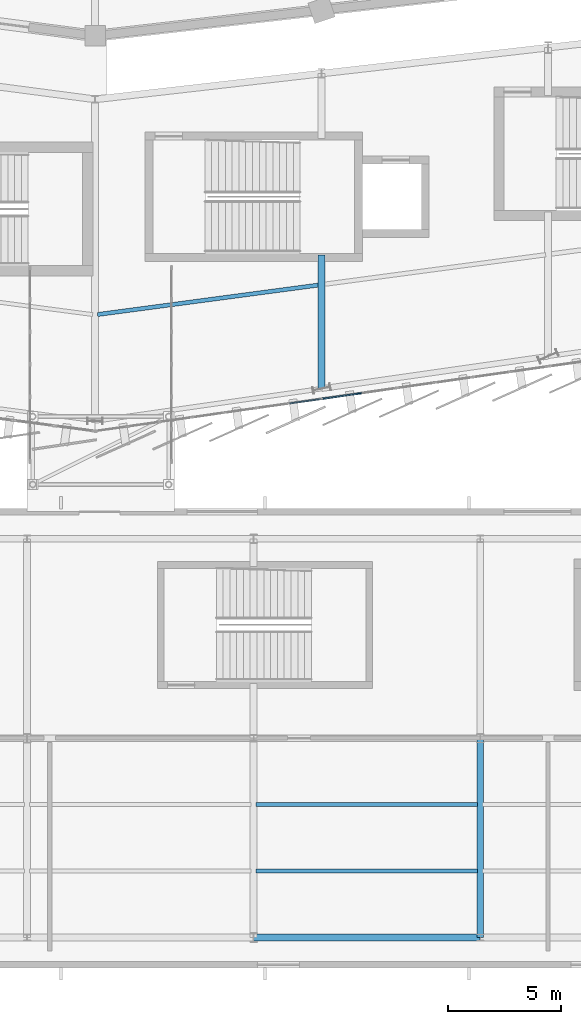
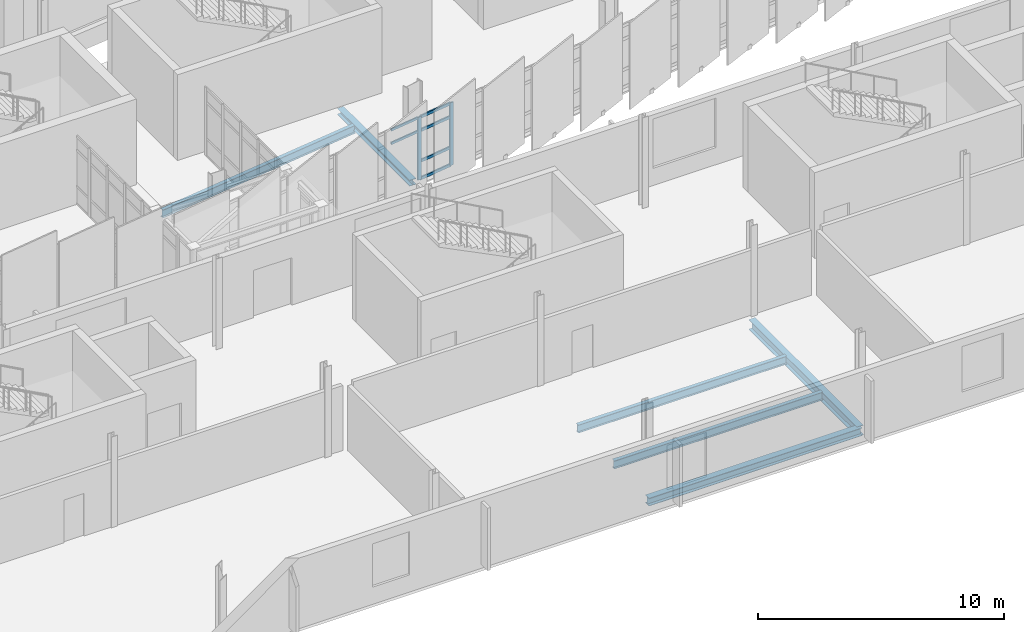
# One storey, part 37 of 125: 8 members, 6 beams, 2 elements without a shape of their own.
"""IFC4 building model written with IfcOpenShell, lengths in metres."""

from ifc_helpers import new_model, si_unit, direction, frame, origin, origin_2d, place, context, subcontext, project, spatial, rectangle, i_section, extrude, material, layer, layer_set, material_profile, profile_set, type_object, element, aggregate, save


model = new_model("IFC4")

# Units and contexts
model_context = context("Model", 3, precision=1e-05, world=origin(), true_north=direction((0.0, 1.0)))
body_context = subcontext(model_context, "Body", "Model", "MODEL_VIEW")
ifc_project = project(units=[si_unit("LENGTHUNIT", "METRE"), si_unit("AREAUNIT", "SQUARE_METRE"), si_unit("VOLUMEUNIT", "CUBIC_METRE"), si_unit("PLANEANGLEUNIT", "RADIAN"), si_unit("MASSUNIT", "GRAM", prefix="KILO")], contexts=[model_context])

# Site, building, storey
site_placement = place(None, origin())
site = spatial("IfcSite", under=ifc_project, at=site_placement, CompositionType="ELEMENT")
building_placement = place(site_placement, origin())
building = spatial("IfcBuilding", under=site, at=building_placement, Name="Sohan Crest Arena", CompositionType="ELEMENT")
storey_placement = place(building_placement, frame((0.0, 0.0, 9.0)))
storey = spatial("IfcBuildingStorey", under=building, at=storey_placement, Name="L02", CompositionType="ELEMENT", Elevation=9.0)

# Curtain wall, members
ifc_material_1 = material(Name="Thermally broken anodised aluminium", Category="aluminium")
ifc_layer_1 = layer(ifc_material_1, 0.199951171875, Name="Thermally broken anodised aluminium")
ifc_layer_set_1 = layer_set([ifc_layer_1], Name="Thermally broken anodised aluminium")
curtain_wall_type_1 = type_object("IfcCurtainWallType", Name="ARC-CW02", PredefinedType="NOTDEFINED", material=ifc_layer_set_1)
curtain_wall_1_placement = place(storey_placement, origin())
curtain_wall_1 = element("IfcCurtainWall", 1, at=curtain_wall_1_placement, inside=storey, type_object=curtain_wall_type_1, Name="Unitised curtain wall CW-061", PredefinedType="NOTDEFINED")
ifc_material_profile_1 = material_profile(ifc_material_1, rectangle(XDim=0.06494140625, YDim=0.179931640625, at=origin_2d()), Name="ALU-MULL 65x180")
ifc_profile_set_1 = profile_set([ifc_material_profile_1], Name="Thermally broken anodised aluminium")
member_type_1 = type_object("IfcMemberType", Name="ARC-CW-ML02", PredefinedType="MULLION", material=ifc_profile_set_1)
member_1_placement = place(storey_placement, frame((108.0322265625, 30.983642578125, 0.0), z_axis=(0.0, 0.0, 1.0), x_axis=(-0.141365918403, 0.989957411768, 0.0)))
member_1 = element("IfcMember", 2, at=member_1_placement, type_object=member_type_1, Name="CW-061 mullion 1", PredefinedType="MULLION", context=body_context, shape_type="SweptSolid", body=[
    extrude(rectangle(XDim=0.06494140625, YDim=0.179931640625, at=origin_2d()), origin(), (0.0, 0.0, 1.0), 3.1201171875),
])
member_2_placement = place(storey_placement, frame((109.666748046875, 31.217041015625, 0.0), z_axis=(0.0, 0.0, 1.0), x_axis=(-0.141365918403, 0.989957411768, 0.0)))
member_2 = element("IfcMember", 3, at=member_2_placement, type_object=member_type_1, Name="CW-061 mullion 2", PredefinedType="MULLION", context=body_context, shape_type="SweptSolid", body=[
    extrude(rectangle(XDim=0.06494140625, YDim=0.179931640625, at=origin_2d()), origin(), (0.0, 0.0, 1.0), 3.1201171875),
])

ifc_layer_2 = layer(ifc_material_1, 0.179931640625, Name="Thermally broken anodised aluminium")
ifc_layer_set_2 = layer_set([ifc_layer_2], Name="Thermally broken anodised aluminium")
curtain_wall_type_2 = type_object("IfcCurtainWallType", Name="ARC-CW01", PredefinedType="NOTDEFINED", material=ifc_layer_set_2)
curtain_wall_2_placement = place(storey_placement, origin())
curtain_wall_2 = element("IfcCurtainWall", 4, at=curtain_wall_2_placement, inside=storey, type_object=curtain_wall_type_2, Name="Unitised curtain wall CW-060", PredefinedType="NOTDEFINED")
ifc_material_profile_2 = material_profile(ifc_material_1, rectangle(XDim=0.06005859375, YDim=0.1201171875, at=origin_2d()), Name="ALU-TRAN 60x120")
ifc_profile_set_2 = profile_set([ifc_material_profile_2], Name="Thermally broken anodised aluminium")
member_type_2 = type_object("IfcMemberType", Name="ARC-CW-TR01", PredefinedType="USERDEFINED", material=ifc_profile_set_2)
member_3_placement = place(storey_placement, frame((106.60107421875, 30.779052734375, 2.419921875), z_axis=(0.989945885007, 0.141446614515, 0.0), x_axis=(-0.141446614515, 0.989945885007, 0.0)))
member_3 = element("IfcMember", 5, at=member_3_placement, type_object=member_type_2, Name="CW-060 transom 7.3", ObjectType="TRANSOM", PredefinedType="USERDEFINED", context=body_context, shape_type="SweptSolid", body=[
    extrude(rectangle(XDim=0.06005859375, YDim=0.1201171875, at=origin_2d()), origin(), (0.0, 0.0, 1.0), 1.353271484375),
])
member_4_placement = place(storey_placement, frame((106.60107421875, 30.779052734375, 3.090087890625), z_axis=(0.989945885007, 0.141446614515, 0.0), x_axis=(-0.141446614515, 0.989945885007, 0.0)))
member_4 = element("IfcMember", 6, at=member_4_placement, type_object=member_type_2, Name="CW-060 transom 7.4", ObjectType="TRANSOM", PredefinedType="USERDEFINED", context=body_context, shape_type="SweptSolid", body=[
    extrude(rectangle(XDim=0.06005859375, YDim=0.1201171875, at=origin_2d()), origin(), (0.0, 0.0, 1.0), 1.353271484375),
])
aggregate(curtain_wall_2, [member_3, member_4])

# Member
ifc_material_profile_3 = material_profile(ifc_material_1, rectangle(XDim=0.06494140625, YDim=0.139892578125, at=origin_2d()), Name="ALU-TRAN 65x140")
ifc_profile_set_3 = profile_set([ifc_material_profile_3], Name="Thermally broken anodised aluminium")
member_type_3 = type_object("IfcMemberType", Name="ARC-CW-TR02", PredefinedType="USERDEFINED", material=ifc_profile_set_3)
member_5_placement = place(storey_placement, frame((108.064453125, 30.98828125, 0.032470703125), z_axis=(0.989964881435, 0.141313599931, 0.0), x_axis=(-0.141313599931, 0.989964881435, 0.0)))
member_5 = element("IfcMember", 7, at=member_5_placement, type_object=member_type_3, Name="CW-061 transom 1.1", ObjectType="TRANSOM", PredefinedType="USERDEFINED", context=body_context, shape_type="SweptSolid", body=[
    extrude(rectangle(XDim=0.06494140625, YDim=0.139892578125, at=origin_2d()), origin(), (0.0, 0.0, 1.0), 1.5859375),
])

member_6_placement = place(storey_placement, frame((108.064453125, 30.98828125, 0.89990234375), z_axis=(0.989964881435, 0.141313599931, 0.0), x_axis=(-0.141313599931, 0.989964881435, 0.0)))
member_6 = element("IfcMember", 8, at=member_6_placement, type_object=member_type_3, Name="CW-061 transom 1.2", ObjectType="TRANSOM", PredefinedType="USERDEFINED", context=body_context, shape_type="SweptSolid", body=[
    extrude(rectangle(XDim=0.06494140625, YDim=0.139892578125, at=origin_2d()), origin(), (0.0, 0.0, 1.0), 1.5859375),
])

member_7_placement = place(storey_placement, frame((108.064453125, 30.98828125, 2.419921875), z_axis=(0.989964881435, 0.141313599931, 0.0), x_axis=(-0.141313599931, 0.989964881435, 0.0)))
member_7 = element("IfcMember", 9, at=member_7_placement, type_object=member_type_3, Name="CW-061 transom 1.3", ObjectType="TRANSOM", PredefinedType="USERDEFINED", context=body_context, shape_type="SweptSolid", body=[
    extrude(rectangle(XDim=0.06494140625, YDim=0.139892578125, at=origin_2d()), origin(), (0.0, 0.0, 1.0), 1.5859375),
])

member_8_placement = place(storey_placement, frame((108.064453125, 30.98828125, 3.08740234375), z_axis=(0.989964881435, 0.141313599931, 0.0), x_axis=(-0.141313599931, 0.989964881435, 0.0)))
member_8 = element("IfcMember", 10, at=member_8_placement, type_object=member_type_3, Name="CW-061 transom 1.4", ObjectType="TRANSOM", PredefinedType="USERDEFINED", context=body_context, shape_type="SweptSolid", body=[
    extrude(rectangle(XDim=0.06494140625, YDim=0.139892578125, at=origin_2d()), origin(), (0.0, 0.0, 1.0), 1.5859375),
])

aggregate(curtain_wall_1, [member_1, member_2, member_5, member_6, member_7, member_8])

# Beams
ifc_material_2 = material(Name="Steel S355", Category="steel")
ifc_material_profile_4 = material_profile(ifc_material_2, i_section(OverallWidth=0.179931640625, OverallDepth=0.39990234375, WebThickness=0.008544921875, FlangeThickness=0.013427734375, at=origin_2d()), Name="IPE 400")
ifc_profile_set_4 = profile_set([ifc_material_profile_4], Name="Steel S355")
beam_type_1 = type_object("IfcBeamType", Name="STR-BM-B03", PredefinedType="JOIST", material=ifc_profile_set_4)
beam_1_placement = place(storey_placement, frame((98.10888671875, 34.700927734375, -0.449951171875), z_axis=(0.991216229825, 0.132251222039, 0.0), x_axis=(-0.132251222039, 0.991216229825, 0.0)))
element("IfcBeam", 11, at=beam_1_placement, inside=storey, type_object=beam_type_1, Name="Structural beam J-L02-1296", PredefinedType="JOIST", context=body_context, shape_type="SweptSolid", body=[
    extrude(i_section(OverallWidth=0.179931640625, OverallDepth=0.39990234375, WebThickness=0.008544921875, FlangeThickness=0.013427734375, at=origin_2d()), origin(), (0.0, 0.0, 1.0), 9.868896484375),
])
for number, where, z_axis, x_axis, name in (
    (12, (105.110107421875, 10.133056640625, -0.449951171875), (1.0, 0.0, 0.0), (0.0, 1.0, 0.0), "Structural beam J-L02-2662"),
    (13, (105.110107421875, 13.06689453125, -0.449951171875), (1.0, 0.0, 0.0), (0.0, 1.0, 0.0), "Structural beam J-L02-2663"),
):
    element("IfcBeam", number, at=place(storey_placement, frame(where, z_axis=z_axis, x_axis=x_axis)), inside=storey, type_object=beam_type_1, Name=name, PredefinedType="JOIST", context=body_context, shape_type="SweptSolid", body=[
        extrude(i_section(OverallWidth=0.179931640625, OverallDepth=0.39990234375, WebThickness=0.008544921875, FlangeThickness=0.013427734375, at=origin_2d()), origin(), (0.0, 0.0, 1.0), 9.77978515625),
    ])
ifc_material_profile_5 = material_profile(ifc_material_2, i_section(OverallWidth=0.300048828125, OverallDepth=0.389892578125, WebThickness=0.010986328125, FlangeThickness=0.01904296875, at=origin_2d()), Name="HEA 400")
ifc_profile_set_5 = profile_set([ifc_material_profile_5], Name="Steel S355")
beam_type_2 = type_object("IfcBeamType", Name="STR-BM-B09", PredefinedType="BEAM", material=ifc_profile_set_5)
beam_2_placement = place(storey_placement, frame((105.0, 7.199951171875, -0.445068359375), z_axis=(1.0, 0.0, 0.0), x_axis=(0.0, 1.0, 0.0)))
element("IfcBeam", 14, at=beam_2_placement, inside=storey, type_object=beam_type_2, Name="Structural beam G-L02-2661", PredefinedType="BEAM", context=body_context, shape_type="SweptSolid", body=[
    extrude(i_section(OverallWidth=0.300048828125, OverallDepth=0.389892578125, WebThickness=0.010986328125, FlangeThickness=0.01904296875, at=origin_2d()), origin(), (0.0, 0.0, 1.0), 10.0),
])
ifc_material_profile_6 = material_profile(ifc_material_2, i_section(OverallWidth=0.300048828125, OverallDepth=0.489990234375, WebThickness=0.011962890625, FlangeThickness=0.02294921875, at=origin_2d()), Name="HEA 500")
ifc_profile_set_6 = profile_set([ifc_material_profile_6], Name="Steel S355")
beam_type_3 = type_object("IfcBeamType", Name="STR-BM-B10", PredefinedType="BEAM", material=ifc_profile_set_6)
beam_3_placement = place(storey_placement, frame((115.0, 7.199951171875, -0.4951171875), z_axis=(0.0, 1.0, 0.0), x_axis=(-1.0, 0.0, 0.0)))
element("IfcBeam", 15, at=beam_3_placement, inside=storey, type_object=beam_type_3, Name="Structural beam G-L02-2638", PredefinedType="BEAM", context=body_context, shape_type="SweptSolid", body=[
    extrude(i_section(OverallWidth=0.300048828125, OverallDepth=0.489990234375, WebThickness=0.011962890625, FlangeThickness=0.02294921875, at=origin_2d()), origin(), (0.0, 0.0, 1.0), 8.800048828125),
])
ifc_material_profile_7 = material_profile(ifc_material_2, i_section(OverallWidth=0.300048828125, OverallDepth=0.300048828125, WebThickness=0.010986328125, FlangeThickness=0.01904296875, at=origin_2d()), Name="HEB 300")
ifc_profile_set_7 = profile_set([ifc_material_profile_7], Name="Steel S355")
beam_type_4 = type_object("IfcBeamType", Name="STR-BM-B12", PredefinedType="BEAM", material=ifc_profile_set_7)
beam_4_placement = place(storey_placement, frame((108.0, 37.320068359375, -0.39990234375), z_axis=(0.0, -1.0, 0.0), x_axis=(1.0, 0.0, 0.0)))
element("IfcBeam", 16, at=beam_4_placement, inside=storey, type_object=beam_type_4, Name="Structural beam G-L02-1298", PredefinedType="BEAM", context=body_context, shape_type="SweptSolid", body=[
    extrude(i_section(OverallWidth=0.300048828125, OverallDepth=0.300048828125, WebThickness=0.010986328125, FlangeThickness=0.01904296875, at=origin_2d()), origin(), (0.0, 0.0, 1.0), 5.89111328125),
])

save(model, "model.ifc")
